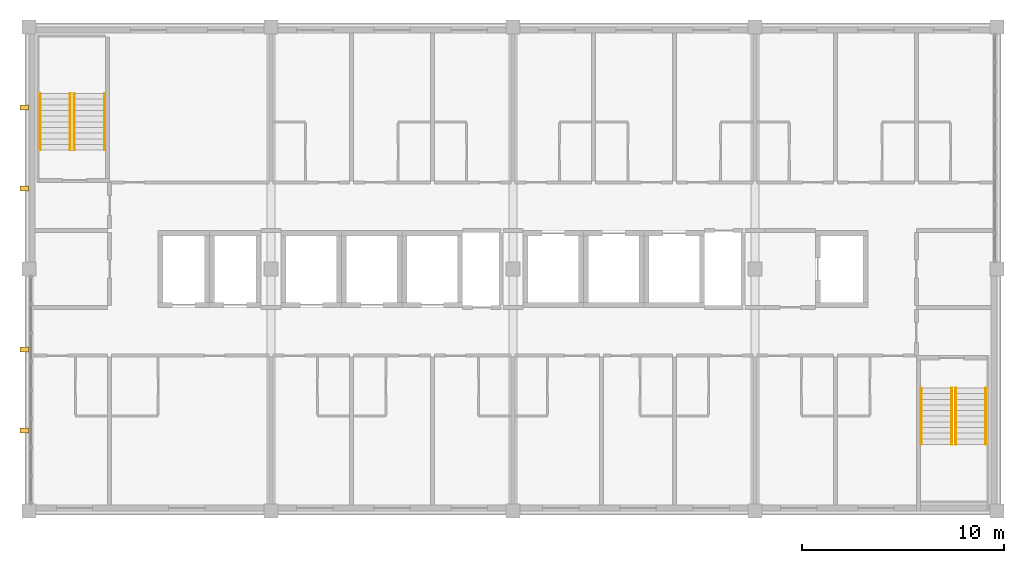
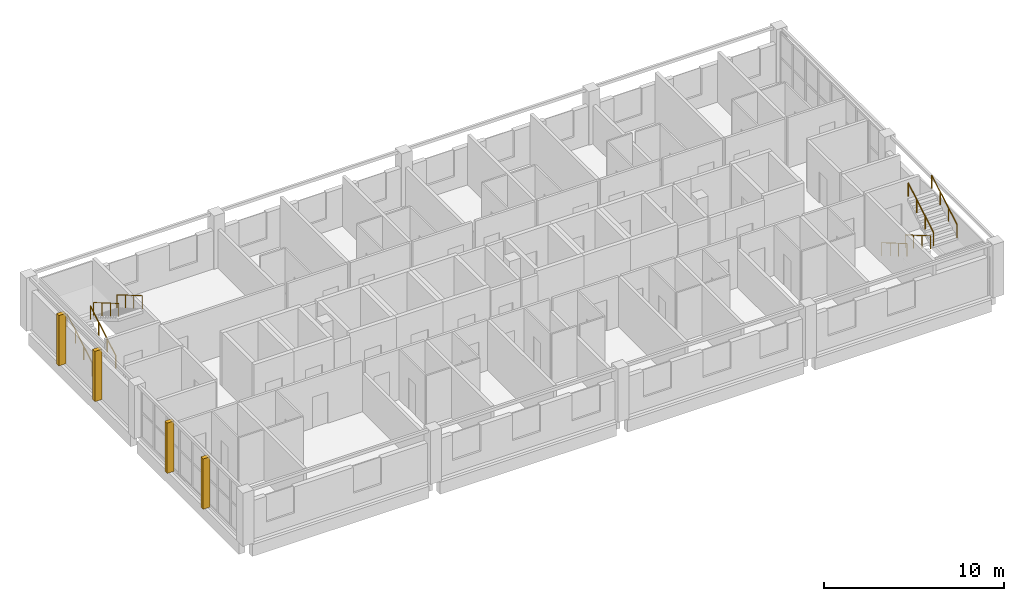
# One storey, part 11 of 11: 8 railings, 4 coverings.
"""IFC4 building model written with IfcOpenShell, lengths in metres."""

from ifc_helpers import new_model, si_unit, direction, frame, frame_2d, origin, origin_2d, place, context, subcontext, project, spatial, rectangle, circle, extrude, material, layer, layer_set, type_object, element, save


model = new_model("IFC4")

# Units and contexts
model_context = context("Model", 3, precision=1e-05, world=origin(), true_north=direction((0.0, 1.0)))
body_context = subcontext(model_context, "Body", "Model", "MODEL_VIEW")
ifc_project = project(units=[si_unit("LENGTHUNIT", "METRE"), si_unit("AREAUNIT", "SQUARE_METRE"), si_unit("VOLUMEUNIT", "CUBIC_METRE"), si_unit("PLANEANGLEUNIT", "RADIAN"), si_unit("MASSUNIT", "GRAM", prefix="KILO")], contexts=[model_context])

# Site, building, storey
site_placement = place(None, origin())
site = spatial("IfcSite", under=ifc_project, at=site_placement, CompositionType="ELEMENT")
building_placement = place(site_placement, origin())
building = spatial("IfcBuilding", under=site, at=building_placement, Name="Lilac Gate Convention Centre", CompositionType="ELEMENT")
storey_placement = place(building_placement, frame((0.0, 0.0, 57.0)))
storey = spatial("IfcBuildingStorey", under=building, at=storey_placement, Name="L14", CompositionType="ELEMENT", Elevation=57.0)

# Coverings
ifc_material_1 = material(Name="Concrete C40 precast", Category="concrete")
ifc_layer_1 = layer(ifc_material_1, 0.22998046875)
ifc_material_2 = material(Name="Terracotta glazed cladding", Category="masonry")
ifc_layer_2 = layer(ifc_material_2, 0.02001953125)
ifc_layer_set = layer_set([ifc_layer_1, ifc_layer_2], Name="Concrete C40 precast, Terracotta glazed cladding")
covering_type = type_object("IfcCoveringType", Name="Precast fin 250 x 450", PredefinedType="CLADDING", material=ifc_layer_set)
for number, where, z_axis, x_axis, name in (
    (1, (41.550048828125, 226.0, 0.0), (0.0, 0.0, 1.0), (1.0, 0.0, 0.0), "Precast fin west L14 226"),
    (2, (41.550048828125, 230.0, 0.0), (0.0, 0.0, 1.0), (1.0, 0.0, 0.0), "Precast fin west L14 230"),
    (3, (41.550048828125, 238.0, 0.0), (0.0, 0.0, 1.0), (1.0, 0.0, 0.0), "Precast fin west L14 238"),
    (4, (41.550048828125, 242.0, 0.0), (0.0, 0.0, 1.0), (1.0, 0.0, 0.0), "Precast fin west L14 242"),
):
    element("IfcCovering", number, at=place(storey_placement, frame(where, z_axis=z_axis, x_axis=x_axis)), inside=storey, type_object=covering_type, Name=name, PredefinedType="CLADDING", context=body_context, shape_type="SweptSolid", body=[
        extrude(rectangle(XDim=0.449951171875, YDim=0.25, at=frame_2d((0.22509765625, 0.0))), origin(), (0.0, 0.0, 1.0), 3.39990234375),
    ])

# Railings
ifc_material_3 = material(Name="Stainless steel 304", Category="steel")
railing_type = type_object("IfcRailingType", Name="Stair handrail", PredefinedType="HANDRAIL", material=ifc_material_3)
for number, where, name in (
    (5, (42.550048828125, 239.89990234375, 0.16357421875), "Handrail NW L14 flight 1"),
    (6, (44.050048828125, 239.89990234375, 0.16357421875), "Handrail NW L14 flight 1"),
):
    element("IfcRailing", number, at=place(storey_placement, frame(where)), inside=storey, type_object=railing_type, Name=name, PredefinedType="HANDRAIL", context=body_context, shape_type="SweptSolid", body=[
        extrude(circle(Radius=0.02392578125, at=origin_2d()), frame((0.0, 0.0, 0.8759765625), z_axis=(0.0, 0.863360870873, 0.504586966384), x_axis=(-1.0, 0.0, 0.0)), (0.0, 0.0, 1.0), 3.2431640625),
        extrude(circle(Radius=0.02099609375, at=origin_2d()), origin(), (0.0, 0.0, 1.0), 0.851806640625),
        extrude(circle(Radius=0.02099609375, at=origin_2d()), frame((0.0, 0.933349609375, 0.54541015625)), (0.0, 0.0, 1.0), 0.851806640625),
        extrude(circle(Radius=0.02099609375, at=origin_2d()), frame((0.0, 1.86669921875, 1.091064453125)), (0.0, 0.0, 1.0), 0.851806640625),
        extrude(circle(Radius=0.02099609375, at=origin_2d()), frame((0.0, 2.800048828125, 1.636474609375)), (0.0, 0.0, 1.0), 0.851806640625),
    ])
for number, where, name in (
    (7, (45.75, 242.699951171875, 1.963623046875), "Handrail NW L14 flight 2"),
    (8, (44.25, 242.699951171875, 1.963623046875), "Handrail NW L14 flight 2"),
    (9, (87.75, 228.10009765625, 0.16357421875), "Handrail SE L14 flight 1"),
    (10, (86.25, 228.10009765625, 0.16357421875), "Handrail SE L14 flight 1"),
):
    element("IfcRailing", number, at=place(storey_placement, frame(where)), inside=storey, type_object=railing_type, Name=name, PredefinedType="HANDRAIL", context=body_context, shape_type="SweptSolid", body=[
        extrude(circle(Radius=0.02392578125, at=origin_2d()), frame((0.0, 0.0, 0.8759765625), z_axis=(0.0, -0.863360870873, 0.504586966384), x_axis=(1.0, 0.0, 0.0)), (0.0, 0.0, 1.0), 3.2431640625),
        extrude(circle(Radius=0.02099609375, at=origin_2d()), origin(), (0.0, 0.0, 1.0), 0.851806640625),
        extrude(circle(Radius=0.02099609375, at=origin_2d()), frame((0.0, -0.933349609375, 0.54541015625)), (0.0, 0.0, 1.0), 0.851806640625),
        extrude(circle(Radius=0.02099609375, at=origin_2d()), frame((0.0, -1.86669921875, 1.091064453125)), (0.0, 0.0, 1.0), 0.851806640625),
        extrude(circle(Radius=0.02099609375, at=origin_2d()), frame((0.0, -2.800048828125, 1.636474609375)), (0.0, 0.0, 1.0), 0.851806640625),
    ])
for number, where, name in (
    (11, (87.949951171875, 225.300048828125, 1.963623046875), "Handrail SE L14 flight 2"),
    (12, (89.449951171875, 225.300048828125, 1.963623046875), "Handrail SE L14 flight 2"),
):
    element("IfcRailing", number, at=place(storey_placement, frame(where)), inside=storey, type_object=railing_type, Name=name, PredefinedType="HANDRAIL", context=body_context, shape_type="SweptSolid", body=[
        extrude(circle(Radius=0.02392578125, at=origin_2d()), frame((0.0, 0.0, 0.8759765625), z_axis=(0.0, 0.863360870873, 0.504586966384), x_axis=(-1.0, 0.0, 0.0)), (0.0, 0.0, 1.0), 3.2431640625),
        extrude(circle(Radius=0.02099609375, at=origin_2d()), origin(), (0.0, 0.0, 1.0), 0.851806640625),
        extrude(circle(Radius=0.02099609375, at=origin_2d()), frame((0.0, 0.933349609375, 0.54541015625)), (0.0, 0.0, 1.0), 0.851806640625),
        extrude(circle(Radius=0.02099609375, at=origin_2d()), frame((0.0, 1.86669921875, 1.091064453125)), (0.0, 0.0, 1.0), 0.851806640625),
        extrude(circle(Radius=0.02099609375, at=origin_2d()), frame((0.0, 2.800048828125, 1.636474609375)), (0.0, 0.0, 1.0), 0.851806640625),
    ])

save(model, "model.ifc")
